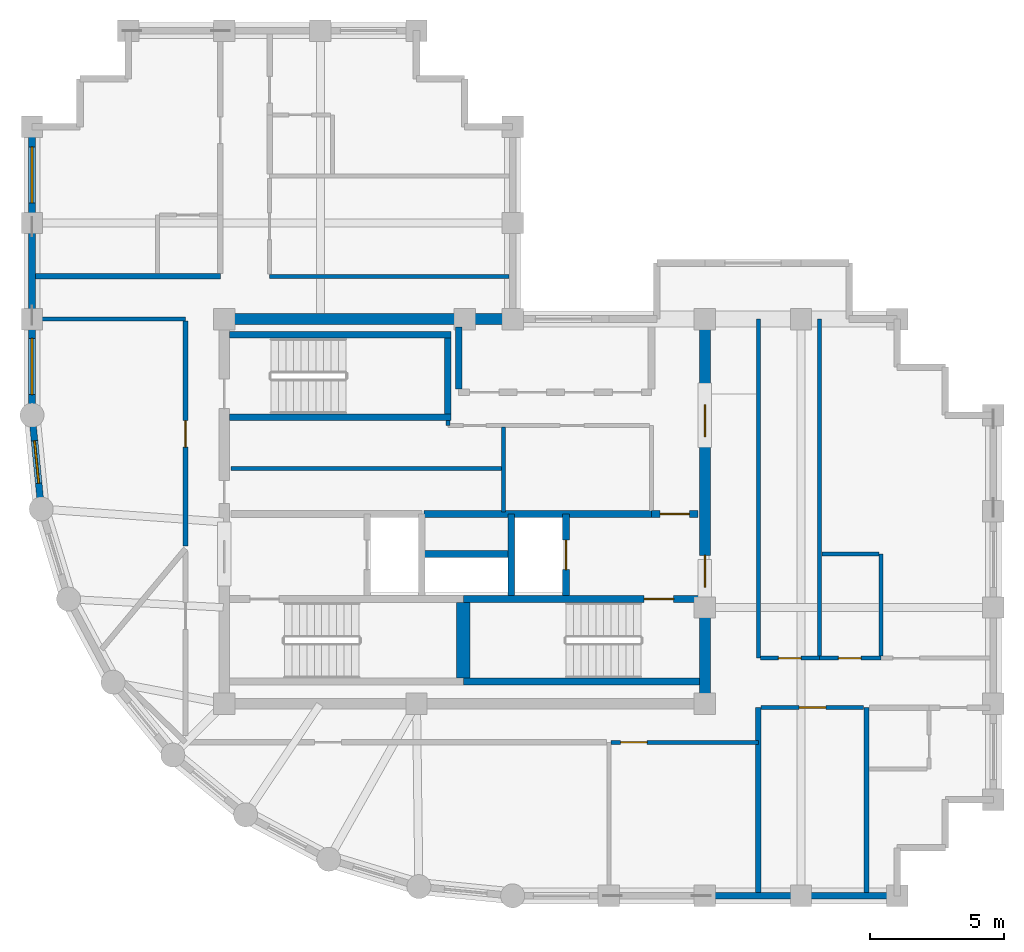
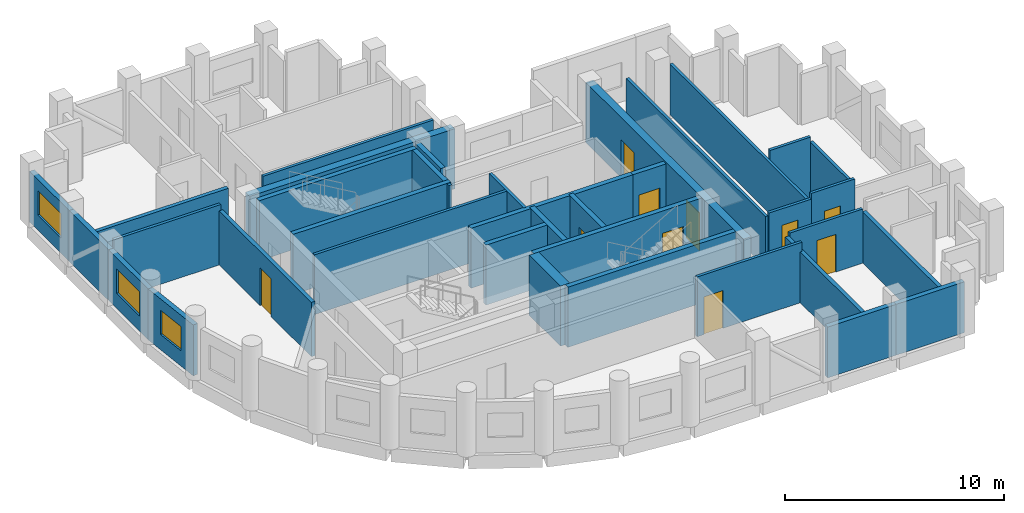
# One storey, part 3 of 6: 37 walls, 10 doors, 3 windows, 13 openings.
"""IFC4 building model written with IfcOpenShell, lengths in metres."""

import ifcopenshell
import ifcopenshell.guid

model = None  # the IFC model being written
_history = None  # IfcOwnerHistory: only IFC2X3 demands one
_inside = {}  # id of a spatial element -> (the spatial element, [elements in it])
_under = {}  # id of a project, library or spatial element -> (it, [spatial elements below it])
_declared = {}  # id of a project -> (the project, [libraries it declares])
_typed = {}  # id of a type object -> (the type object, [elements of that type])
_made_of = {}  # id of a material, layer set ... -> (it, [elements and type objects made of it])


def new_model(schema):
    """Start an empty IFC model of exactly this schema.

    Asked for "IFC4X3", IfcOpenShell would pick the latest addendum, in which some entities
    have other attributes; the version numbers below select the first issue.
    IFC2X3 requires an IfcOwnerHistory on every rooted entity: one is made here for all.
    """
    global model, _history
    if schema == "IFC4X3":
        model = ifcopenshell.file(schema_version=(4, 3, 0, 0))
    else:
        model = ifcopenshell.file(schema=schema)
    _inside.clear()
    _under.clear()
    _declared.clear()
    _typed.clear()
    _made_of.clear()
    _history = None
    if model.schema == "IFC2X3":
        org = make("IfcOrganization", Name="unknown")
        user = make(
            "IfcPersonAndOrganization",
            ThePerson=make("IfcPerson", FamilyName="unknown"),
            TheOrganization=org,
        )
        app = make(
            "IfcApplication",
            ApplicationDeveloper=org,
            Version="unknown",
            ApplicationFullName="unknown",
            ApplicationIdentifier="unknown",
        )
        _history = make(
            "IfcOwnerHistory",
            OwningUser=user,
            OwningApplication=app,
            ChangeAction="ADDED",
            CreationDate=0,
        )
    return model


def make(cls, **values):
    """One entity of the class cls with the attributes given. An attribute that is None is left unset."""
    return model.create_entity(
        cls, **{name: value for name, value in values.items() if value is not None}
    )


def rooted(cls, **values):
    """An entity with a GlobalId (a new one), such as an element, a storey or a relation."""
    return make(cls, GlobalId=ifcopenshell.guid.new(), OwnerHistory=_history, **values)


def si_unit(unit_type, name, prefix=None):
    """IfcSIUnit, for example si_unit("LENGTHUNIT", "METRE", prefix="MILLI")."""
    return make("IfcSIUnit", UnitType=unit_type, Prefix=prefix, Name=name)


def assignment(units):
    """IfcUnitAssignment: the units of a project."""
    return None if units is None else make("IfcUnitAssignment", Units=units)


def point(xyz):
    """IfcCartesianPoint."""
    return None if xyz is None else make("IfcCartesianPoint", Coordinates=xyz)


def direction(xyz):
    """IfcDirection."""
    return None if xyz is None else make("IfcDirection", DirectionRatios=xyz)


def frame(location, z_axis=None, x_axis=None):
    """IfcAxis2Placement3D, a coordinate frame: its origin and axes. An axis left out is left unset."""
    return make(
        "IfcAxis2Placement3D",
        Location=point(location),
        Axis=direction(z_axis),
        RefDirection=direction(x_axis),
    )


def frame_2d(location, x_axis=None):
    """IfcAxis2Placement2D, a coordinate frame in the plane: its origin and x axis."""
    return make(
        "IfcAxis2Placement2D", Location=point(location), RefDirection=direction(x_axis)
    )


def origin():
    """The frame at (0, 0, 0) with its axes left unset."""
    return frame((0.0, 0.0, 0.0))


def place(relative_to, where):
    """IfcLocalPlacement: puts the frame where relative to a parent placement (None: the world)."""
    return make(
        "IfcLocalPlacement", PlacementRelTo=relative_to, RelativePlacement=where
    )


def context(
    kind, dimensions, precision=None, world=None, true_north=None, identifier=None
):
    """IfcGeometricRepresentationContext, for example the 3D "Model" context."""
    return make(
        "IfcGeometricRepresentationContext",
        ContextIdentifier=identifier,
        ContextType=kind,
        CoordinateSpaceDimension=dimensions,
        Precision=precision,
        WorldCoordinateSystem=world,
        TrueNorth=true_north,
    )


def subcontext(parent, identifier, kind, view, scale=None):
    """IfcGeometricRepresentationSubContext, for example "Body" below "Model"."""
    return make(
        "IfcGeometricRepresentationSubContext",
        ContextIdentifier=identifier,
        ContextType=kind,
        ParentContext=parent,
        TargetScale=scale,
        TargetView=view,
    )


def project(units=None, contexts=None):
    """IfcProject with its units and contexts."""
    return rooted(
        "IfcProject",
        Name="project",
        RepresentationContexts=contexts,
        UnitsInContext=assignment(units),
    )


def spatial(cls, under=None, at=None, **own):
    """A site, building, storey or space (cls), placed at a placement, below another one or the project."""
    s = rooted(cls, ObjectPlacement=at, **own)
    if under is not None:
        _under.setdefault(under.id(), (under, []))[1].append(s)
    return s


def profile(cls, at=None, kind="AREA", **sizes):
    """A parametric profile (cls). Its sizes go by their IFC names, for example OverallWidth=200.0."""
    return make(cls, ProfileType=kind, Position=at, **sizes)


def rectangle(**sizes):
    """IfcRectangleProfileDef."""
    return profile("IfcRectangleProfileDef", **sizes)


def extrude(swept, where, along, depth):
    """IfcExtrudedAreaSolid: the profile swept, set in the frame where, extruded along a direction by depth."""
    return make(
        "IfcExtrudedAreaSolid",
        SweptArea=swept,
        Position=where,
        ExtrudedDirection=direction(along),
        Depth=depth,
    )


def shape(context_of_items, identifier, shape_type, items):
    """IfcShapeRepresentation: the items that make up one representation, for example the "Body"."""
    return make(
        "IfcShapeRepresentation",
        ContextOfItems=context_of_items,
        RepresentationIdentifier=identifier,
        RepresentationType=shape_type,
        Items=items,
    )


def material(Name=None, Category=None):
    """IfcMaterial."""
    return make("IfcMaterial", Name=Name, Category=Category)


def layer(
    of_material, thickness, ventilated=None, Name=None, Category=None, Priority=None
):
    """IfcMaterialLayer: one layer of a wall or slab, of a material (None: an air gap)."""
    return make(
        "IfcMaterialLayer",
        Material=of_material,
        LayerThickness=thickness,
        IsVentilated=ventilated,
        Name=Name,
        Category=Category,
        Priority=Priority,
    )


def layer_set(layers, Name=None):
    """IfcMaterialLayerSet."""
    return make("IfcMaterialLayerSet", MaterialLayers=layers, LayerSetName=Name)


def made_of(thing, what):
    """Note that an element or type object is made of a material, layer set ...; save() writes the relation."""
    if what is not None:
        _made_of.setdefault(what.id(), (what, []))[1].append(thing)
    return thing


def type_object(cls, material=None, **own):
    """A type object (cls), such as IfcWallType, which elements share."""
    return made_of(rooted(cls, **own), material)


def element(
    cls,
    number,
    at=None,
    inside=None,
    cuts=None,
    type_object=None,
    material=None,
    context=None,
    identifier="Body",
    shape_type=None,
    held_by="IfcProductDefinitionShape",
    body=None,
    shapes=None,
    **own,
):
    """One element of the class cls, such as IfcWall. Its Tag is "e" and its number.

    at: its placement. inside: the storey or other place that contains it. cuts: it is an
    opening in that element (IfcRelVoidsElement). A single representation is given by context,
    identifier, shape_type and body (its items); several are given by shapes. held_by: the class
    of the entity that holds the representations. save() writes the other relations.
    """
    e = rooted(cls, Tag="e%d" % number, ObjectPlacement=at, **own)
    if body is not None:
        shapes = [shape(context, identifier, shape_type, body)]
    if shapes is not None:
        e.Representation = make(held_by, Representations=shapes)
    if inside is not None:
        _inside.setdefault(inside.id(), (inside, []))[1].append(e)
    if cuts is not None:
        rooted(
            "IfcRelVoidsElement", RelatingBuildingElement=cuts, RelatedOpeningElement=e
        )
    if type_object is not None:
        _typed.setdefault(type_object.id(), (type_object, []))[1].append(e)
    return made_of(e, material)


def fill(opening, filler):
    """IfcRelFillsElement: the door or window that sits in an opening."""
    return rooted(
        "IfcRelFillsElement",
        RelatingOpeningElement=opening,
        RelatedBuildingElement=filler,
    )


def aggregate(whole, parts):
    """IfcRelAggregates: a whole, such as a stair, and the parts it consists of."""
    return rooted("IfcRelAggregates", RelatingObject=whole, RelatedObjects=parts)


def save(model, path):
    """Write the relations noted so far, then the file.

    IfcRelAggregates (storeys below a building ...), IfcRelContainedInSpatialStructure (elements
    in a storey), IfcRelDefinesByType, IfcRelAssociatesMaterial and IfcRelDeclares: one each for
    every whole, place, type object, material and project.
    """
    for whole, parts in _under.values():
        aggregate(whole, parts)
    for where, things in _inside.values():
        rooted(
            "IfcRelContainedInSpatialStructure",
            RelatedElements=things,
            RelatingStructure=where,
        )
    for kind, things in _typed.values():
        rooted("IfcRelDefinesByType", RelatedObjects=things, RelatingType=kind)
    for what, things in _made_of.values():
        rooted("IfcRelAssociatesMaterial", RelatedObjects=things, RelatingMaterial=what)
    for by, libraries in _declared.values():
        rooted("IfcRelDeclares", RelatingContext=by, RelatedDefinitions=libraries)
    model.write(path)


model = new_model("IFC4")

# Units and contexts
model_context = context("Model", 3, precision=1e-05, world=origin(), true_north=direction((0.0, 1.0)))
body_context = subcontext(model_context, "Body", "Model", "MODEL_VIEW")
ifc_project = project(units=[si_unit("LENGTHUNIT", "METRE"), si_unit("AREAUNIT", "SQUARE_METRE"), si_unit("VOLUMEUNIT", "CUBIC_METRE"), si_unit("PLANEANGLEUNIT", "RADIAN"), si_unit("MASSUNIT", "GRAM", prefix="KILO")], contexts=[model_context])

# Site, building, storey
site_placement = place(None, origin())
site = spatial("IfcSite", under=ifc_project, at=site_placement, CompositionType="ELEMENT")
building_placement = place(site_placement, origin())
building = spatial("IfcBuilding", under=site, at=building_placement, Name="Solnavia Interchange Tower", CompositionType="ELEMENT")
storey_placement = place(building_placement, frame((0.0, 0.0, 255.800048828125)))
storey = spatial("IfcBuildingStorey", under=building, at=storey_placement, Name="L64", CompositionType="ELEMENT", Elevation=255.800048828125)

# Wall, opening, door
ifc_material_1 = material(Name="Gypsum Acoustic Twin-Stud & Mineral Wool", Category="gypsum")
ifc_layer_1 = layer(ifc_material_1, 0.199951171875)
ifc_layer_set_1 = layer_set([ifc_layer_1], Name="Gypsum Acoustic Twin-Stud & Mineral Wool")
wall_type_1 = type_object("IfcWallType", Name="Wall-ApartmentParty-200", PredefinedType="PARTITIONING", material=ifc_layer_set_1)
wall_1_placement = place(storey_placement, frame((12.949951171875, 16.7041015625, 0.0), z_axis=(0.0, 0.0, 1.0), x_axis=(0.0, 1.0, 0.0)))
wall_1 = element("IfcWall", 1, at=wall_1_placement, inside=storey, type_object=wall_type_1, Name="PTW-L64-11 Interior partition wall", PredefinedType="PARTITIONING", context=body_context, shape_type="SweptSolid", body=[
    extrude(rectangle(XDim=8.4169921875, YDim=0.199951171875, at=frame_2d((4.20849609375, 0.0))), origin(), (0.0, 0.0, 1.0), 3.02001953125),
])
opening_1_placement = place(wall_1_placement, frame((3.696044921875, 0.0, 0.0)))
opening_1 = element("IfcOpeningElement", 2, at=opening_1_placement, cuts=wall_1, Name="Opening DR-07", PredefinedType="OPENING", context=body_context, shape_type="SweptSolid", body=[
    extrude(rectangle(XDim=1.0, YDim=2.10009765625, at=frame_2d((0.5, 1.050048828125))), frame((0.0, 0.10986328125, 0.0), z_axis=(0.0, -1.0, 0.0), x_axis=(1.0, 0.0, 0.0)), (0.0, 0.0, 1.0), 0.219970703125),
])
ifc_material_2 = material(Name="Timber & Acoustic Glazed Office Door", Category="wood")
door_type_1 = type_object("IfcDoorType", Name="Door-Office-1000x2100", OperationType="SINGLE_SWING_RIGHT", PredefinedType="DOOR", material=ifc_material_2)
door_1_placement = place(opening_1_placement, origin())
door_1 = element("IfcDoor", 3, at=door_1_placement, inside=storey, type_object=door_type_1, Name="DR-L64-03 Interior room door", OperationType="SINGLE_SWING_LEFT", OverallHeight=2.10009765625, OverallWidth=1.0, PredefinedType="DOOR", context=body_context, shape_type="SweptSolid", body=[
    extrude(rectangle(XDim=1.0, YDim=2.10009765625, at=frame_2d((0.5, 1.050048828125))), frame((0.0, 0.02490234375, 0.0), z_axis=(0.0, -1.0, 0.0), x_axis=(1.0, 0.0, 0.0)), (0.0, 0.0, 1.0), 0.050048828125),
])
fill(opening_1, door_1)

# Walls
for number, where, z_axis, x_axis, name in (
    (4, (34.39990234375, 3.72900390625, 0.0), (0.0, 0.0, 1.0), (0.0, 1.0, 0.0), "PTW-L64-15 Interior partition wall"),
    (5, (38.449951171875, 3.72900390625, 0.0), (0.0, 0.0, 1.0), (0.0, 1.0, 0.0), "PTW-L64-16 Interior partition wall"),
    (6, (7.3291015625, 26.800048828125, 0.0), (0.0, 0.0, 1.0), (1.0, 0.0, 0.0), "PTW-L64-23 Interior partition wall"),
):
    element("IfcWall", number, at=place(storey_placement, frame(where, z_axis=z_axis, x_axis=x_axis)), inside=storey, type_object=wall_type_1, Name=name, PredefinedType="PARTITIONING", context=body_context, shape_type="SweptSolid", body=[
        extrude(rectangle(XDim=6.9208984375, YDim=0.199951171875, at=frame_2d((3.46044921875, 0.0))), origin(), (0.0, 0.0, 1.0), 2.829833984375),
    ])
ifc_material_3 = material(Name="Concrete C40/50", Category="concrete")
ifc_layer_2 = layer(ifc_material_3, 0.25)
ifc_layer_set_2 = layer_set([ifc_layer_2], Name="Concrete C40/50")
wall_type_2 = type_object("IfcWallType", Name="Wall-ExtSpandrel-250", PredefinedType="STANDARD", material=ifc_layer_set_2)
for number, where, z_axis, x_axis, name in (
    (7, (36.0, 3.60009765625, 0.0), (0.0, 0.0, 1.0), (-1.0, 0.0, 0.0), "EXW-L64-03 Exterior precast spandrel wall"),
    (8, (39.60009765625, 3.60009765625, 0.0), (0.0, 0.0, 1.0), (-1.0, 0.0, 0.0), "EXW-L64-04 Exterior precast spandrel wall"),
):
    element("IfcWall", number, at=place(storey_placement, frame(where, z_axis=z_axis, x_axis=x_axis)), inside=storey, type_object=wall_type_2, Name=name, PredefinedType="STANDARD", context=body_context, shape_type="SweptSolid", body=[
        extrude(rectangle(XDim=3.60009765625, YDim=0.25, at=frame_2d((1.800048828125, 0.0))), origin(), (0.0, 0.0, 1.0), 2.829833984375),
    ])

# Wall, opening, window
wall_2_placement = place(storey_placement, frame((7.199951171875, 28.800048828125, 0.0), z_axis=(0.0, 0.0, 1.0), x_axis=(0.0, 1.0, 0.0)))
wall_2 = element("IfcWall", 9, at=wall_2_placement, inside=storey, type_object=wall_type_2, Name="EXW-L64-38 Exterior precast spandrel wall", PredefinedType="STANDARD", context=body_context, shape_type="SweptSolid", body=[
    extrude(rectangle(XDim=3.599853515625, YDim=0.25, at=frame_2d((1.7998046875, 0.0))), origin(), (0.0, 0.0, 1.0), 2.829833984375),
])
opening_2_placement = place(wall_2_placement, frame((0.75, 0.0, 0.85009765625)))
opening_2 = element("IfcOpeningElement", 10, at=opening_2_placement, cuts=wall_2, Name="Opening WIN-01", PredefinedType="OPENING", context=body_context, shape_type="SweptSolid", body=[
    extrude(rectangle(XDim=2.10009765625, YDim=1.35009765625, at=frame_2d((1.050048828125, 0.675048828125))), frame((0.0, 0.135009765625, 0.0), z_axis=(0.0, -1.0, 0.0), x_axis=(1.0, 0.0, 0.0)), (0.0, 0.0, 1.0), 0.27001953125),
])
ifc_material_4 = material(Name="Thermal-Break Aluminium & Low-E Glass", Category="aluminium")
window_type_1 = type_object("IfcWindowType", Name="Window-Ribbon-2100x1350", PartitioningType="SINGLE_PANEL", PredefinedType="WINDOW", material=ifc_material_4)
window_1_placement = place(opening_2_placement, origin())
window_1 = element("IfcWindow", 11, at=window_1_placement, inside=storey, type_object=window_type_1, Name="WIN-L64-38 Facade ribbon window", OverallHeight=1.35009765625, OverallWidth=2.10009765625, PartitioningType="SINGLE_PANEL", PredefinedType="WINDOW", context=body_context, shape_type="SweptSolid", body=[
    extrude(rectangle(XDim=2.10009765625, YDim=1.35009765625, at=frame_2d((1.050048828125, 0.675048828125))), frame((0.0, 0.030029296875, 0.0), z_axis=(0.0, -1.0, 0.0), x_axis=(1.0, 0.0, 0.0)), (0.0, 0.0, 1.0), 0.06005859375),
])
fill(opening_2, window_1)

# Wall
wall_3_placement = place(storey_placement, frame((7.199951171875, 25.199951171875, 0.0), z_axis=(0.0, 0.0, 1.0), x_axis=(0.0, 1.0, 0.0)))
element("IfcWall", 12, at=wall_3_placement, inside=storey, type_object=wall_type_2, Name="EXW-L64-39 Exterior precast spandrel wall", PredefinedType="STANDARD", context=body_context, shape_type="SweptSolid", body=[
    extrude(rectangle(XDim=3.60009765625, YDim=0.25, at=frame_2d((1.800048828125, 0.0))), origin(), (0.0, 0.0, 1.0), 2.829833984375),
])

# Wall, opening, window
wall_4_placement = place(storey_placement, frame((7.199951171875, 21.60009765625, 0.0), z_axis=(0.0, 0.0, 1.0), x_axis=(0.0, 1.0, 0.0)))
wall_4 = element("IfcWall", 13, at=wall_4_placement, inside=storey, type_object=wall_type_2, Name="EXW-L64-40 Exterior precast spandrel wall", PredefinedType="STANDARD", context=body_context, shape_type="SweptSolid", body=[
    extrude(rectangle(XDim=3.599853515625, YDim=0.25, at=frame_2d((1.7998046875, 0.0))), origin(), (0.0, 0.0, 1.0), 2.829833984375),
])
opening_3_placement = place(wall_4_placement, frame((0.77490234375, 0.0, 0.85009765625)))
opening_3 = element("IfcOpeningElement", 14, at=opening_3_placement, cuts=wall_4, Name="Opening WIN-01", PredefinedType="OPENING", context=body_context, shape_type="SweptSolid", body=[
    extrude(rectangle(XDim=2.10009765625, YDim=1.35009765625, at=frame_2d((1.050048828125, 0.675048828125))), frame((0.0, 0.135009765625, 0.0), z_axis=(0.0, -1.0, 0.0), x_axis=(1.0, 0.0, 0.0)), (0.0, 0.0, 1.0), 0.27001953125),
])
window_2_placement = place(opening_3_placement, origin())
window_2 = element("IfcWindow", 15, at=window_2_placement, inside=storey, type_object=window_type_1, Name="WIN-L64-40 Facade ribbon window", OverallHeight=1.35009765625, OverallWidth=2.10009765625, PartitioningType="SINGLE_PANEL", PredefinedType="WINDOW", context=body_context, shape_type="SweptSolid", body=[
    extrude(rectangle(XDim=2.10009765625, YDim=1.35009765625, at=frame_2d((1.050048828125, 0.675048828125))), frame((0.0, 0.030029296875, 0.0), z_axis=(0.0, -1.0, 0.0), x_axis=(1.0, 0.0, 0.0)), (0.0, 0.0, 1.0), 0.06005859375),
])
fill(opening_3, window_2)

wall_5_placement = place(storey_placement, frame((7.5458984375, 18.087890625, 0.0), z_axis=(0.0, 0.0, 1.0), x_axis=(-0.09802417461, 0.995184033831, 0.0)))
wall_5 = element("IfcWall", 16, at=wall_5_placement, inside=storey, type_object=wall_type_2, Name="EXW-L64-41 Exterior precast spandrel wall", PredefinedType="STANDARD", context=body_context, shape_type="SweptSolid", body=[
    extrude(rectangle(XDim=3.529296875, YDim=0.25, at=frame_2d((1.7646484375, 0.0))), origin(), (0.0, 0.0, 1.0), 2.829833984375),
])
opening_4_placement = place(wall_5_placement, frame((0.965087890625, 0.0, 0.85009765625)))
opening_4 = element("IfcOpeningElement", 17, at=opening_4_placement, cuts=wall_5, Name="Opening WIN-04", PredefinedType="OPENING", context=body_context, shape_type="SweptSolid", body=[
    extrude(rectangle(XDim=1.60009765625, YDim=1.35009765625, at=frame_2d((0.800048828125, 0.675048828125))), frame((0.0, 0.135009765625, 0.0), z_axis=(0.0, -1.0, 0.0), x_axis=(1.0, 0.0, 0.0)), (0.0, 0.0, 1.0), 0.27001953125),
])
window_type_2 = type_object("IfcWindowType", Name="Window-Drum-1600x1350", PartitioningType="SINGLE_PANEL", PredefinedType="WINDOW", material=ifc_material_4)
window_3_placement = place(opening_4_placement, origin())
window_3 = element("IfcWindow", 18, at=window_3_placement, inside=storey, type_object=window_type_2, Name="WIN-L64-41 Facade ribbon window", OverallHeight=1.35009765625, OverallWidth=1.60009765625, PartitioningType="SINGLE_PANEL", PredefinedType="WINDOW", context=body_context, shape_type="SweptSolid", body=[
    extrude(rectangle(XDim=1.60009765625, YDim=1.35009765625, at=frame_2d((0.800048828125, 0.675048828125))), frame((0.0, 0.030029296875, 0.0), z_axis=(0.0, -1.0, 0.0), x_axis=(1.0, 0.0, 0.0)), (0.0, 0.0, 1.0), 0.06005859375),
])
fill(opening_4, window_3)

# Walls
ifc_material_5 = material(Name="Gypsum Plasterboard & Steel Stud", Category="steel")
ifc_layer_3 = layer(ifc_material_5, 0.14990234375)
ifc_layer_set_3 = layer_set([ifc_layer_3], Name="Gypsum Plasterboard & Steel Stud")
wall_type_3 = type_object("IfcWallType", Name="Wall-Partition-150", PredefinedType="PARTITIONING", material=ifc_layer_set_3)
wall_6_placement = place(storey_placement, frame((22.77490234375, 21.219970703125, 0.0), z_axis=(0.0, 0.0, 1.0), x_axis=(0.0, 1.0, 0.0)))
element("IfcWall", 19, at=wall_6_placement, inside=storey, type_object=wall_type_3, Name="CSW-L64-ST-TIE Core shaft wall", PredefinedType="PARTITIONING", context=body_context, shape_type="SweptSolid", body=[
    extrude(rectangle(XDim=0.175048828125, YDim=0.14990234375, at=frame_2d((0.08740234375, 0.0))), origin(), (0.0, 0.0, 1.0), 3.3349609375),
])
wall_7_placement = place(storey_placement, frame((24.85009765625, 17.97998046875, 0.0), z_axis=(0.0, 0.0, 1.0), x_axis=(0.0, 1.0, 0.0)))
element("IfcWall", 20, at=wall_7_placement, inside=storey, type_object=wall_type_3, Name="CSW-L64-M1 Core shaft wall", PredefinedType="PARTITIONING", context=body_context, shape_type="SweptSolid", body=[
    extrude(rectangle(XDim=3.169921875, YDim=0.14990234375, at=frame_2d((1.5849609375, 0.0))), origin(), (0.0, 0.0, 1.0), 3.3349609375),
])
wall_8_placement = place(storey_placement, frame((14.64990234375, 19.60009765625, 0.0), z_axis=(0.0, 0.0, 1.0), x_axis=(1.0, 0.0, 0.0)))
element("IfcWall", 21, at=wall_8_placement, inside=storey, type_object=wall_type_3, Name="CSW-L64-H1 Core shaft wall", PredefinedType="PARTITIONING", context=body_context, shape_type="SweptSolid", body=[
    extrude(rectangle(XDim=10.130126953125, YDim=0.14990234375, at=frame_2d((5.06494140625, 0.0))), origin(), (0.0, 0.0, 1.0), 3.3349609375),
])
wall_9_placement = place(storey_placement, frame((7.3291015625, 25.199951171875, 0.0), z_axis=(0.0, 0.0, 1.0), x_axis=(1.0, 0.0, 0.0)))
element("IfcWall", 22, at=wall_9_placement, inside=storey, type_object=wall_type_3, Name="PTW-L64-07 Interior partition wall", PredefinedType="PARTITIONING", context=body_context, shape_type="SweptSolid", body=[
    extrude(rectangle(XDim=5.620849609375, YDim=0.14990234375, at=frame_2d((2.810546875, 0.0))), origin(), (0.0, 0.0, 1.0), 3.3349609375),
])

# Wall, opening, door
wall_10_placement = place(storey_placement, frame((28.87890625, 9.35009765625, 0.0), z_axis=(0.0, 0.0, 1.0), x_axis=(1.0, 0.0, 0.0)))
wall_10 = element("IfcWall", 23, at=wall_10_placement, inside=storey, type_object=wall_type_3, Name="PTW-L64-14 Interior partition wall", PredefinedType="PARTITIONING", context=body_context, shape_type="SweptSolid", body=[
    extrude(rectangle(XDim=5.52099609375, YDim=0.14990234375, at=frame_2d((2.760498046875, 0.0))), origin(), (0.0, 0.0, 1.0), 3.3349609375),
])
opening_5_placement = place(wall_10_placement, frame((0.360107421875, 0.0, 0.0)))
opening_5 = element("IfcOpeningElement", 24, at=opening_5_placement, cuts=wall_10, Name="Opening DR-07", PredefinedType="OPENING", context=body_context, shape_type="SweptSolid", body=[
    extrude(rectangle(XDim=1.0, YDim=2.10009765625, at=frame_2d((0.5, 1.050048828125))), frame((0.0, 0.0849609375, 0.0), z_axis=(0.0, -1.0, 0.0), x_axis=(1.0, 0.0, 0.0)), (0.0, 0.0, 1.0), 0.169921875),
])
door_2_placement = place(opening_5_placement, origin())
door_2 = element("IfcDoor", 25, at=door_2_placement, inside=storey, type_object=door_type_1, Name="DR-L64-06 Interior room door", OperationType="SINGLE_SWING_LEFT", OverallHeight=2.10009765625, OverallWidth=1.0, PredefinedType="DOOR", context=body_context, shape_type="SweptSolid", body=[
    extrude(rectangle(XDim=1.0, YDim=2.10009765625, at=frame_2d((0.5, 1.050048828125))), frame((0.0, 0.02490234375, 0.0), z_axis=(0.0, -1.0, 0.0), x_axis=(1.0, 0.0, 0.0)), (0.0, 0.0, 1.0), 0.050048828125),
])
fill(opening_5, door_2)

wall_11_placement = place(storey_placement, frame((34.50390625, 10.64990234375, 0.0), z_axis=(0.0, 0.0, 1.0), x_axis=(1.0, 0.0, 0.0)))
wall_11 = element("IfcWall", 26, at=wall_11_placement, inside=storey, type_object=wall_type_3, Name="PTW-L64-17 Interior partition wall", PredefinedType="PARTITIONING", context=body_context, shape_type="SweptSolid", body=[
    extrude(rectangle(XDim=3.842041015625, YDim=0.14990234375, at=frame_2d((1.9208984375, 0.0))), origin(), (0.0, 0.0, 1.0), 3.02001953125),
])
opening_6_placement = place(wall_11_placement, frame((1.4208984375, 0.0, 0.0)))
opening_6 = element("IfcOpeningElement", 27, at=opening_6_placement, cuts=wall_11, Name="Opening DR-07", PredefinedType="OPENING", context=body_context, shape_type="SweptSolid", body=[
    extrude(rectangle(XDim=1.0, YDim=2.10009765625, at=frame_2d((0.5, 1.050048828125))), frame((0.0, 0.0849609375, 0.0), z_axis=(0.0, -1.0, 0.0), x_axis=(1.0, 0.0, 0.0)), (0.0, 0.0, 1.0), 0.169921875),
])
door_3_placement = place(opening_6_placement, origin())
door_3 = element("IfcDoor", 28, at=door_3_placement, inside=storey, type_object=door_type_1, Name="DR-L64-07 Interior room door", OperationType="SINGLE_SWING_LEFT", OverallHeight=2.10009765625, OverallWidth=1.0, PredefinedType="DOOR", context=body_context, shape_type="SweptSolid", body=[
    extrude(rectangle(XDim=1.0, YDim=2.10009765625, at=frame_2d((0.5, 1.050048828125))), frame((0.0, 0.02490234375, 0.0), z_axis=(0.0, -1.0, 0.0), x_axis=(1.0, 0.0, 0.0)), (0.0, 0.0, 1.0), 0.050048828125),
])
fill(opening_6, door_3)

# Walls
wall_12_placement = place(storey_placement, frame((16.10009765625, 26.800048828125, 0.0), z_axis=(0.0, 0.0, 1.0), x_axis=(1.0, 0.0, 0.0)))
element("IfcWall", 29, at=wall_12_placement, inside=storey, type_object=wall_type_3, Name="PTW-L64-28 Interior partition wall", PredefinedType="PARTITIONING", context=body_context, shape_type="SweptSolid", body=[
    extrude(rectangle(XDim=8.970947265625, YDim=0.14990234375, at=frame_2d((4.4853515625, 0.0))), origin(), (0.0, 0.0, 1.0), 2.829833984375),
])
ifc_layer_4 = layer(ifc_material_3, 0.25)
ifc_layer_set_4 = layer_set([ifc_layer_4], Name="Concrete C40/50")
wall_type_4 = type_object("IfcWallType", Name="Wall-ShaftCore-250", PredefinedType="SHEAR", material=ifc_layer_set_4)
wall_13_placement = place(storey_placement, frame((23.35009765625, 11.625, 0.0), z_axis=(0.0, 0.0, 1.0), x_axis=(1.0, 0.0, 0.0)))
element("IfcWall", 30, at=wall_13_placement, inside=storey, type_object=wall_type_4, Name="SHW-L64-ST2S Core shear wall", PredefinedType="SHEAR", context=body_context, shape_type="SweptSolid", body=[
    extrude(rectangle(XDim=8.849853515625, YDim=0.25, at=frame_2d((4.4248046875, 0.0))), origin(), (0.0, 0.0, 1.0), 3.349853515625),
])

# Wall, opening, door
wall_14_placement = place(storey_placement, frame((23.35009765625, 14.715087890625, 0.0), z_axis=(0.0, 0.0, 1.0), x_axis=(1.0, 0.0, 0.0)))
wall_14 = element("IfcWall", 31, at=wall_14_placement, inside=storey, type_object=wall_type_4, Name="SHW-L64-ST2N Core shear wall", PredefinedType="SHEAR", context=body_context, shape_type="SweptSolid", body=[
    extrude(rectangle(XDim=8.849853515625, YDim=0.25, at=frame_2d((4.4248046875, 0.0))), origin(), (0.0, 0.0, 1.0), 3.349853515625),
])
opening_7_placement = place(wall_14_placement, frame((6.77490234375, 0.0, 0.0)))
opening_7 = element("IfcOpeningElement", 32, at=opening_7_placement, cuts=wall_14, Name="Opening DR-01", PredefinedType="OPENING", context=body_context, shape_type="SweptSolid", body=[
    extrude(rectangle(XDim=1.10009765625, YDim=2.10009765625, at=frame_2d((0.550048828125, 1.050048828125))), frame((0.0, 0.135009765625, 0.0), z_axis=(0.0, -1.0, 0.0), x_axis=(1.0, 0.0, 0.0)), (0.0, 0.0, 1.0), 0.27001953125),
])
ifc_material_6 = material(Name="Steel Fire-Rated Leaf & Frame", Category="steel")
door_type_2 = type_object("IfcDoorType", Name="Door-StairFire-1100x2100", OperationType="SINGLE_SWING_LEFT", PredefinedType="DOOR", material=ifc_material_6)
door_4_placement = place(opening_7_placement, origin())
door_4 = element("IfcDoor", 33, at=door_4_placement, inside=storey, type_object=door_type_2, Name="DR-L64-ST2 Core fire door", OperationType="SINGLE_SWING_LEFT", OverallHeight=2.10009765625, OverallWidth=1.10009765625, PredefinedType="DOOR", context=body_context, shape_type="SweptSolid", body=[
    extrude(rectangle(XDim=1.10009765625, YDim=2.10009765625, at=frame_2d((0.550048828125, 1.050048828125))), frame((0.0, 0.02490234375, 0.0), z_axis=(0.0, -1.0, 0.0), x_axis=(1.0, 0.0, 0.0)), (0.0, 0.0, 1.0), 0.050048828125),
])
fill(opening_7, door_4)

# Walls
for number, where, z_axis, x_axis, name in (
    (34, (14.60009765625, 21.52490234375, 0.0), (0.0, 0.0, 1.0), (1.0, 0.0, 0.0), "SHW-L64-ST3S Core shear wall"),
    (35, (14.60009765625, 24.614990234375, 0.0), (0.0, 0.0, 1.0), (1.0, 0.0, 0.0), "SHW-L64-ST3N Core shear wall"),
):
    element("IfcWall", number, at=place(storey_placement, frame(where, z_axis=z_axis, x_axis=x_axis)), inside=storey, type_object=wall_type_4, Name=name, PredefinedType="SHEAR", context=body_context, shape_type="SweptSolid", body=[
        extrude(rectangle(XDim=8.2998046875, YDim=0.25, at=frame_2d((4.14990234375, 0.0))), origin(), (0.0, 0.0, 1.0), 3.349853515625),
    ])
wall_15_placement = place(storey_placement, frame((22.77490234375, 21.64990234375, 0.0), z_axis=(0.0, 0.0, 1.0), x_axis=(0.0, 1.0, 0.0)))
element("IfcWall", 36, at=wall_15_placement, inside=storey, type_object=wall_type_4, Name="SHW-L64-ST3E Core shear wall", PredefinedType="SHEAR", context=body_context, shape_type="SweptSolid", body=[
    extrude(rectangle(XDim=2.840087890625, YDim=0.25, at=frame_2d((1.419921875, 0.0))), origin(), (0.0, 0.0, 1.0), 3.349853515625),
])
ifc_layer_5 = layer(ifc_material_3, 0.25)
ifc_layer_set_5 = layer_set([ifc_layer_5], Name="Concrete C40/50")
wall_type_5 = type_object("IfcWallType", Name="Wall-ShaftPart-250", PredefinedType="PARTITIONING", material=ifc_layer_set_5)
wall_16_placement = place(storey_placement, frame((21.8798828125, 17.89990234375, 0.0), z_axis=(0.0, 0.0, 1.0), x_axis=(1.0, 0.0, 0.0)))
element("IfcWall", 37, at=wall_16_placement, inside=storey, type_object=wall_type_5, Name="SHW-L64-FFLE-N1 Core shaft wall", PredefinedType="PARTITIONING", context=body_context, shape_type="SweptSolid", body=[
    extrude(rectangle(XDim=8.52001953125, YDim=0.25, at=frame_2d((4.260009765625, 0.0))), origin(), (0.0, 0.0, 1.0), 3.3349609375),
])

# Wall, opening, door
wall_17_placement = place(storey_placement, frame((30.39990234375, 17.89990234375, 0.0), z_axis=(0.0, 0.0, 1.0), x_axis=(1.0, 0.0, 0.0)))
wall_17 = element("IfcWall", 38, at=wall_17_placement, inside=storey, type_object=wall_type_5, Name="SHW-L64-FFLE-N2 Core shaft wall", PredefinedType="PARTITIONING", context=body_context, shape_type="SweptSolid", body=[
    extrude(rectangle(XDim=1.75, YDim=0.25, at=frame_2d((0.875, 0.0))), origin(), (0.0, 0.0, 1.0), 3.3349609375),
])
opening_8_placement = place(wall_17_placement, frame((0.320068359375, 0.0, 0.0)))
opening_8 = element("IfcOpeningElement", 39, at=opening_8_placement, cuts=wall_17, Name="Opening DR-01", PredefinedType="OPENING", context=body_context, shape_type="SweptSolid", body=[
    extrude(rectangle(XDim=1.10009765625, YDim=2.10009765625, at=frame_2d((0.550048828125, 1.050048828125))), frame((0.0, 0.135009765625, 0.0), z_axis=(0.0, -1.0, 0.0), x_axis=(1.0, 0.0, 0.0)), (0.0, 0.0, 1.0), 0.27001953125),
])
door_5_placement = place(opening_8_placement, origin())
door_5 = element("IfcDoor", 40, at=door_5_placement, inside=storey, type_object=door_type_2, Name="DR-L64-LLC Core fire door", OperationType="SINGLE_SWING_LEFT", OverallHeight=2.10009765625, OverallWidth=1.10009765625, PredefinedType="DOOR", context=body_context, shape_type="SweptSolid", body=[
    extrude(rectangle(XDim=1.10009765625, YDim=2.10009765625, at=frame_2d((0.550048828125, 1.050048828125))), frame((0.0, 0.02490234375, 0.0), z_axis=(0.0, -1.0, 0.0), x_axis=(1.0, 0.0, 0.0)), (0.0, 0.0, 1.0), 0.050048828125),
])
fill(opening_8, door_5)

# Wall
wall_18_placement = place(storey_placement, frame((25.14990234375, 14.840087890625, 0.0), z_axis=(0.0, 0.0, 1.0), x_axis=(0.0, 1.0, 0.0)))
element("IfcWall", 41, at=wall_18_placement, inside=storey, type_object=wall_type_5, Name="SHW-L64-FFL2-W Core shaft wall", PredefinedType="PARTITIONING", context=body_context, shape_type="SweptSolid", body=[
    extrude(rectangle(XDim=3.059814453125, YDim=0.25, at=frame_2d((1.52978515625, 0.0))), origin(), (0.0, 0.0, 1.0), 3.3349609375),
])

# Wall, opening, door
wall_19_placement = place(storey_placement, frame((27.199951171875, 14.840087890625, 0.0), z_axis=(0.0, 0.0, 1.0), x_axis=(0.0, 1.0, 0.0)))
wall_19 = element("IfcWall", 42, at=wall_19_placement, inside=storey, type_object=wall_type_5, Name="SHW-L64-FFL2-E Core shaft wall", PredefinedType="PARTITIONING", context=body_context, shape_type="SweptSolid", body=[
    extrude(rectangle(XDim=3.059814453125, YDim=0.25, at=frame_2d((1.52978515625, 0.0))), origin(), (0.0, 0.0, 1.0), 3.3349609375),
])
opening_9_placement = place(wall_19_placement, frame((0.97998046875, 0.0, 0.0)))
opening_9 = element("IfcOpeningElement", 43, at=opening_9_placement, cuts=wall_19, Name="Opening LD-01", PredefinedType="OPENING", context=body_context, shape_type="SweptSolid", body=[
    extrude(rectangle(XDim=1.10009765625, YDim=2.10009765625, at=frame_2d((0.550048828125, 1.050048828125))), frame((0.0, 0.135009765625, 0.0), z_axis=(0.0, -1.0, 0.0), x_axis=(1.0, 0.0, 0.0)), (0.0, 0.0, 1.0), 0.27001953125),
])
ifc_material_7 = material(Name="Brushed Stainless Steel Sliding Door", Category="steel")
door_type_3 = type_object("IfcDoorType", Name="Door-LiftLanding-1100x2100", OperationType="SLIDING_TO_LEFT", PredefinedType="DOOR", material=ifc_material_7)
door_6_placement = place(opening_9_placement, origin())
door_6 = element("IfcDoor", 44, at=door_6_placement, inside=storey, type_object=door_type_3, Name="LD-L64-FFL2 Lift landing sliding door", OperationType="SLIDING_TO_LEFT", OverallHeight=2.10009765625, OverallWidth=1.10009765625, PredefinedType="DOOR", context=body_context, shape_type="SweptSolid", body=[
    extrude(rectangle(XDim=1.10009765625, YDim=2.10009765625, at=frame_2d((0.550048828125, 1.050048828125))), frame((0.0, 0.02490234375, 0.0), z_axis=(0.0, -1.0, 0.0), x_axis=(1.0, 0.0, 0.0)), (0.0, 0.0, 1.0), 0.050048828125),
])
fill(opening_9, door_6)

# Walls
wall_20_placement = place(storey_placement, frame((21.800048828125, 16.39990234375, 0.0), z_axis=(0.0, 0.0, 1.0), x_axis=(1.0, 0.0, 0.0)))
element("IfcWall", 45, at=wall_20_placement, inside=storey, type_object=wall_type_5, Name="SHW-L64-MEP-N Core shaft wall", PredefinedType="PARTITIONING", context=body_context, shape_type="SweptSolid", body=[
    extrude(rectangle(XDim=3.349853515625, YDim=0.25, at=frame_2d((1.6748046875, 0.0))), origin(), (0.0, 0.0, 1.0), 3.3349609375),
])
wall_21_placement = place(storey_placement, frame((23.179931640625, 22.5849609375, 0.0), z_axis=(0.0, 0.0, 1.0), x_axis=(0.0, 1.0, 0.0)))
element("IfcWall", 46, at=wall_21_placement, inside=storey, type_object=wall_type_5, Name="SHW-L64-B3W Core shaft wall", PredefinedType="PARTITIONING", context=body_context, shape_type="SweptSolid", body=[
    extrude(rectangle(XDim=2.31494140625, YDim=0.25, at=frame_2d((1.157470703125, 0.0))), origin(), (0.0, 0.0, 1.0), 3.3349609375),
])
ifc_material_8 = material(Name="Concrete C50/60", Category="concrete")
ifc_layer_6 = layer(ifc_material_8, 0.39990234375)
ifc_layer_set_6 = layer_set([ifc_layer_6], Name="Concrete C50/60")
wall_type_6 = type_object("IfcWallType", Name="Wall-ShearCore-400", PredefinedType="SHEAR", material=ifc_layer_set_6)
wall_22_placement = place(storey_placement, frame((14.39990234375, 25.199951171875, 0.0), z_axis=(0.0, 0.0, 1.0), x_axis=(1.0, 0.0, 0.0)))
element("IfcWall", 47, at=wall_22_placement, inside=storey, type_object=wall_type_6, Name="CRW-L64-N Core shear wall", PredefinedType="SHEAR", context=body_context, shape_type="SweptSolid", body=[
    extrude(rectangle(XDim=10.800048828125, YDim=0.39990234375, at=frame_2d((5.39990234375, 0.0))), origin(), (0.0, 0.0, 1.0), 3.349853515625),
])

# Wall, openings, doors
wall_23_placement = place(storey_placement, frame((32.39990234375, 10.800048828125, 0.0), z_axis=(0.0, 0.0, 1.0), x_axis=(0.0, 1.0, 0.0)))
wall_23 = element("IfcWall", 48, at=wall_23_placement, inside=storey, type_object=wall_type_6, Name="CRW-L64-E Core shear wall", PredefinedType="SHEAR", context=body_context, shape_type="SweptSolid", body=[
    extrude(rectangle(XDim=14.39990234375, YDim=0.39990234375, at=frame_2d((7.199951171875, 0.0))), origin(), (0.0, 0.0, 1.0), 3.349853515625),
])
opening_10_placement = place(wall_23_placement, frame((4.35009765625, 0.0, 0.0)))
opening_10 = element("IfcOpeningElement", 49, at=opening_10_placement, cuts=wall_23, Name="Opening DR-02", PredefinedType="OPENING", context=body_context, shape_type="SweptSolid", body=[
    extrude(rectangle(XDim=1.199951171875, YDim=2.10009765625, at=frame_2d((0.60009765625, 1.050048828125))), frame((0.0, 0.2099609375, 0.0), z_axis=(0.0, -1.0, 0.0), x_axis=(1.0, 0.0, 0.0)), (0.0, 0.0, 1.0), 0.419921875),
])
opening_11_placement = place(wall_23_placement, frame((10.0, 0.0, 0.0)))
opening_11 = element("IfcOpeningElement", 50, at=opening_11_placement, cuts=wall_23, Name="Opening DR-02", PredefinedType="OPENING", context=body_context, shape_type="SweptSolid", body=[
    extrude(rectangle(XDim=1.199951171875, YDim=2.10009765625, at=frame_2d((0.60009765625, 1.050048828125))), frame((0.0, 0.2099609375, 0.0), z_axis=(0.0, -1.0, 0.0), x_axis=(1.0, 0.0, 0.0)), (0.0, 0.0, 1.0), 0.419921875),
])
ifc_material_9 = material(Name="Steel Fire-Rated Vision-Panel Door", Category="steel")
door_type_4 = type_object("IfcDoorType", Name="Door-LobbyFire-1200x2100", OperationType="SINGLE_SWING_RIGHT", PredefinedType="DOOR", material=ifc_material_9)
door_7_placement = place(opening_10_placement, origin())
door_7 = element("IfcDoor", 51, at=door_7_placement, inside=storey, type_object=door_type_4, Name="DR-L64-FFL2E Core fire door", OperationType="SINGLE_SWING_LEFT", OverallHeight=2.10009765625, OverallWidth=1.199951171875, PredefinedType="DOOR", context=body_context, shape_type="SweptSolid", body=[
    extrude(rectangle(XDim=1.199951171875, YDim=2.10009765625, at=frame_2d((0.60009765625, 1.050048828125))), frame((0.0, 0.02490234375, 0.0), z_axis=(0.0, -1.0, 0.0), x_axis=(1.0, 0.0, 0.0)), (0.0, 0.0, 1.0), 0.050048828125),
])
fill(opening_10, door_7)
door_8_placement = place(opening_11_placement, origin())
door_8 = element("IfcDoor", 52, at=door_8_placement, inside=storey, type_object=door_type_4, Name="DR-L64-LLE Core fire door", OperationType="SINGLE_SWING_RIGHT", OverallHeight=2.10009765625, OverallWidth=1.199951171875, PredefinedType="DOOR", context=body_context, shape_type="SweptSolid", body=[
    extrude(rectangle(XDim=1.199951171875, YDim=2.10009765625, at=frame_2d((0.60009765625, 1.050048828125))), frame((0.0, 0.02490234375, 0.0), z_axis=(0.0, -1.0, 0.0), x_axis=(1.0, 0.0, 0.0)), (0.0, 0.0, 1.0), 0.050048828125),
])
fill(opening_11, door_8)

# Walls
ifc_material_10 = material(Name="Concrete C60/75", Category="concrete")
ifc_layer_7 = layer(ifc_material_10, 0.5)
ifc_layer_set_7 = layer_set([ifc_layer_7], Name="Concrete C60/75")
wall_type_7 = type_object("IfcWallType", Name="Wall-ShearCore-500", PredefinedType="SHEAR", material=ifc_layer_set_7)
wall_24_placement = place(storey_placement, frame((23.35009765625, 11.75, 0.0), z_axis=(0.0, 0.0, 1.0), x_axis=(0.0, 1.0, 0.0)))
element("IfcWall", 53, at=wall_24_placement, inside=storey, type_object=wall_type_7, Name="SHW-L64-ST12M Core shear wall", PredefinedType="SHEAR", context=body_context, shape_type="SweptSolid", body=[
    extrude(rectangle(XDim=2.840087890625, YDim=0.5, at=frame_2d((1.419921875, 0.0))), origin(), (0.0, 0.0, 1.0), 3.349853515625),
])
ifc_material_11 = material(Name="Moisture-Resistant Gypsum & Steel Stud", Category="steel")
ifc_layer_8 = layer(ifc_material_11, 0.14990234375)
ifc_layer_set_8 = layer_set([ifc_layer_8], Name="Moisture-Resistant Gypsum & Steel Stud")
wall_type_8 = type_object("IfcWallType", Name="Wall-WetRoom-150", PredefinedType="PARTITIONING", material=ifc_layer_set_8)
wall_25_placement = place(storey_placement, frame((34.39990234375, 12.5, 0.0), z_axis=(0.0, 0.0, 1.0), x_axis=(0.0, 1.0, 0.0)))
element("IfcWall", 54, at=wall_25_placement, inside=storey, type_object=wall_type_8, Name="PTW-L64-01 Interior partition wall", PredefinedType="PARTITIONING", context=body_context, shape_type="SweptSolid", body=[
    extrude(rectangle(XDim=12.699951171875, YDim=0.14990234375, at=frame_2d((6.35009765625, 0.0))), origin(), (0.0, 0.0, 1.0), 2.829833984375),
])

# Wall, opening, door
wall_26_placement = place(storey_placement, frame((34.47900390625, 12.5, 0.0), z_axis=(0.0, 0.0, 1.0), x_axis=(1.0, 0.0, 0.0)))
wall_26 = element("IfcWall", 55, at=wall_26_placement, inside=storey, type_object=wall_type_8, Name="PTW-L64-02 Interior partition wall", PredefinedType="PARTITIONING", context=body_context, shape_type="SweptSolid", body=[
    extrude(rectangle(XDim=2.220947265625, YDim=0.14990234375, at=frame_2d((1.1103515625, 0.0))), origin(), (0.0, 0.0, 1.0), 3.02001953125),
])
opening_12_placement = place(wall_26_placement, frame((0.674072265625, 0.0, 0.0)))
opening_12 = element("IfcOpeningElement", 56, at=opening_12_placement, cuts=wall_26, Name="Opening DR-10", PredefinedType="OPENING", context=body_context, shape_type="SweptSolid", body=[
    extrude(rectangle(XDim=0.85009765625, YDim=2.10009765625, at=frame_2d((0.425048828125, 1.050048828125))), frame((0.0, 0.0849609375, 0.0), z_axis=(0.0, -1.0, 0.0), x_axis=(1.0, 0.0, 0.0)), (0.0, 0.0, 1.0), 0.169921875),
])
ifc_material_12 = material(Name="Moisture-Resistant Timber Door", Category="wood")
door_type_5 = type_object("IfcDoorType", Name="Door-Bathroom-850x2100", OperationType="SINGLE_SWING_RIGHT", PredefinedType="DOOR", material=ifc_material_12)
door_9_placement = place(opening_12_placement, origin())
door_9 = element("IfcDoor", 57, at=door_9_placement, inside=storey, type_object=door_type_5, Name="DR-L64-01 Interior room door", OperationType="SINGLE_SWING_LEFT", OverallHeight=2.10009765625, OverallWidth=0.85009765625, PredefinedType="DOOR", context=body_context, shape_type="SweptSolid", body=[
    extrude(rectangle(XDim=0.85009765625, YDim=2.10009765625, at=frame_2d((0.425048828125, 1.050048828125))), frame((0.0, 0.02490234375, 0.0), z_axis=(0.0, -1.0, 0.0), x_axis=(1.0, 0.0, 0.0)), (0.0, 0.0, 1.0), 0.050048828125),
])
fill(opening_12, door_9)

# Wall
wall_27_placement = place(storey_placement, frame((36.699951171875, 12.5791015625, 0.0), z_axis=(0.0, 0.0, 1.0), x_axis=(0.0, 1.0, 0.0)))
element("IfcWall", 58, at=wall_27_placement, inside=storey, type_object=wall_type_8, Name="PTW-L64-03 Interior partition wall", PredefinedType="PARTITIONING", context=body_context, shape_type="SweptSolid", body=[
    extrude(rectangle(XDim=12.620849609375, YDim=0.14990234375, at=frame_2d((6.310546875, 0.0))), origin(), (0.0, 0.0, 1.0), 2.829833984375),
])

# Wall, opening, door
wall_28_placement = place(storey_placement, frame((36.699951171875, 12.5, 0.0), z_axis=(0.0, 0.0, 1.0), x_axis=(1.0, 0.0, 0.0)))
wall_28 = element("IfcWall", 59, at=wall_28_placement, inside=storey, type_object=wall_type_8, Name="PTW-L64-04 Interior partition wall", PredefinedType="PARTITIONING", context=body_context, shape_type="SweptSolid", body=[
    extrude(rectangle(XDim=2.300048828125, YDim=0.14990234375, at=frame_2d((1.14990234375, 0.0))), origin(), (0.0, 0.0, 1.0), 3.3349609375),
])
opening_13_placement = place(wall_28_placement, frame((0.697021484375, 0.0, 0.0)))
opening_13 = element("IfcOpeningElement", 60, at=opening_13_placement, cuts=wall_28, Name="Opening DR-10", PredefinedType="OPENING", context=body_context, shape_type="SweptSolid", body=[
    extrude(rectangle(XDim=0.85009765625, YDim=2.10009765625, at=frame_2d((0.425048828125, 1.050048828125))), frame((0.0, 0.0849609375, 0.0), z_axis=(0.0, -1.0, 0.0), x_axis=(1.0, 0.0, 0.0)), (0.0, 0.0, 1.0), 0.169921875),
])
door_10_placement = place(opening_13_placement, origin())
door_10 = element("IfcDoor", 61, at=door_10_placement, inside=storey, type_object=door_type_5, Name="DR-L64-02 Interior room door", OperationType="SINGLE_SWING_RIGHT", OverallHeight=2.10009765625, OverallWidth=0.85009765625, PredefinedType="DOOR", context=body_context, shape_type="SweptSolid", body=[
    extrude(rectangle(XDim=0.85009765625, YDim=2.10009765625, at=frame_2d((0.425048828125, 1.050048828125))), frame((0.0, 0.02490234375, 0.0), z_axis=(0.0, -1.0, 0.0), x_axis=(1.0, 0.0, 0.0)), (0.0, 0.0, 1.0), 0.050048828125),
])
fill(opening_13, door_10)

# Walls
wall_29_placement = place(storey_placement, frame((39.0, 12.5791015625, 0.0), z_axis=(0.0, 0.0, 1.0), x_axis=(0.0, 1.0, 0.0)))
element("IfcWall", 62, at=wall_29_placement, inside=storey, type_object=wall_type_8, Name="PTW-L64-05 Interior partition wall", PredefinedType="PARTITIONING", context=body_context, shape_type="SweptSolid", body=[
    extrude(rectangle(XDim=3.82080078125, YDim=0.14990234375, at=frame_2d((1.910400390625, 0.0))), origin(), (0.0, 0.0, 1.0), 3.030029296875),
])
wall_30_placement = place(storey_placement, frame((36.779052734375, 16.39990234375, 0.0), z_axis=(0.0, 0.0, 1.0), x_axis=(1.0, 0.0, 0.0)))
element("IfcWall", 63, at=wall_30_placement, inside=storey, type_object=wall_type_8, Name="PTW-L64-06 Interior partition wall", PredefinedType="PARTITIONING", context=body_context, shape_type="SweptSolid", body=[
    extrude(rectangle(XDim=2.141845703125, YDim=0.14990234375, at=frame_2d((1.07080078125, 0.0))), origin(), (0.0, 0.0, 1.0), 3.3349609375),
])

save(model, "model.ifc")
